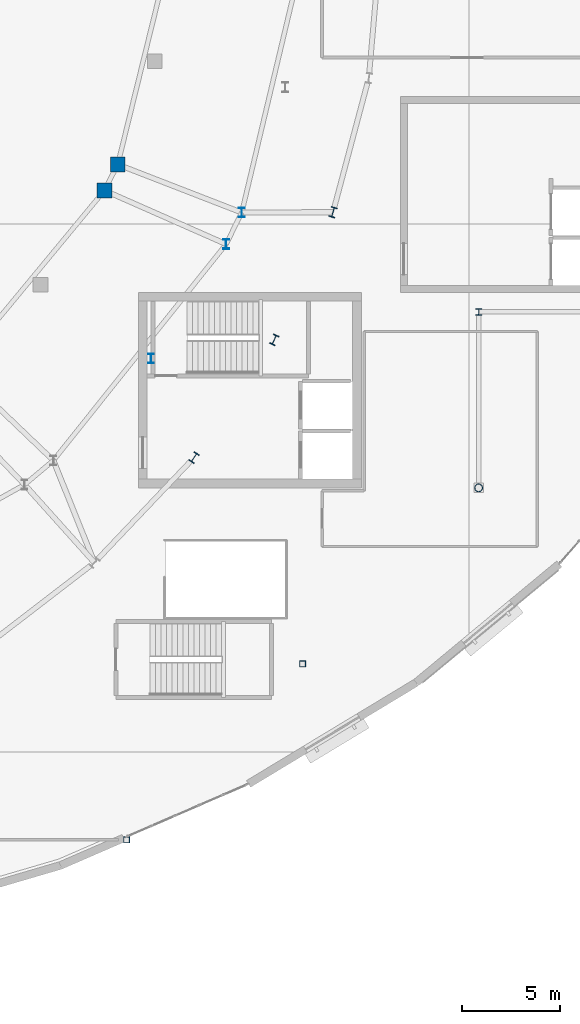
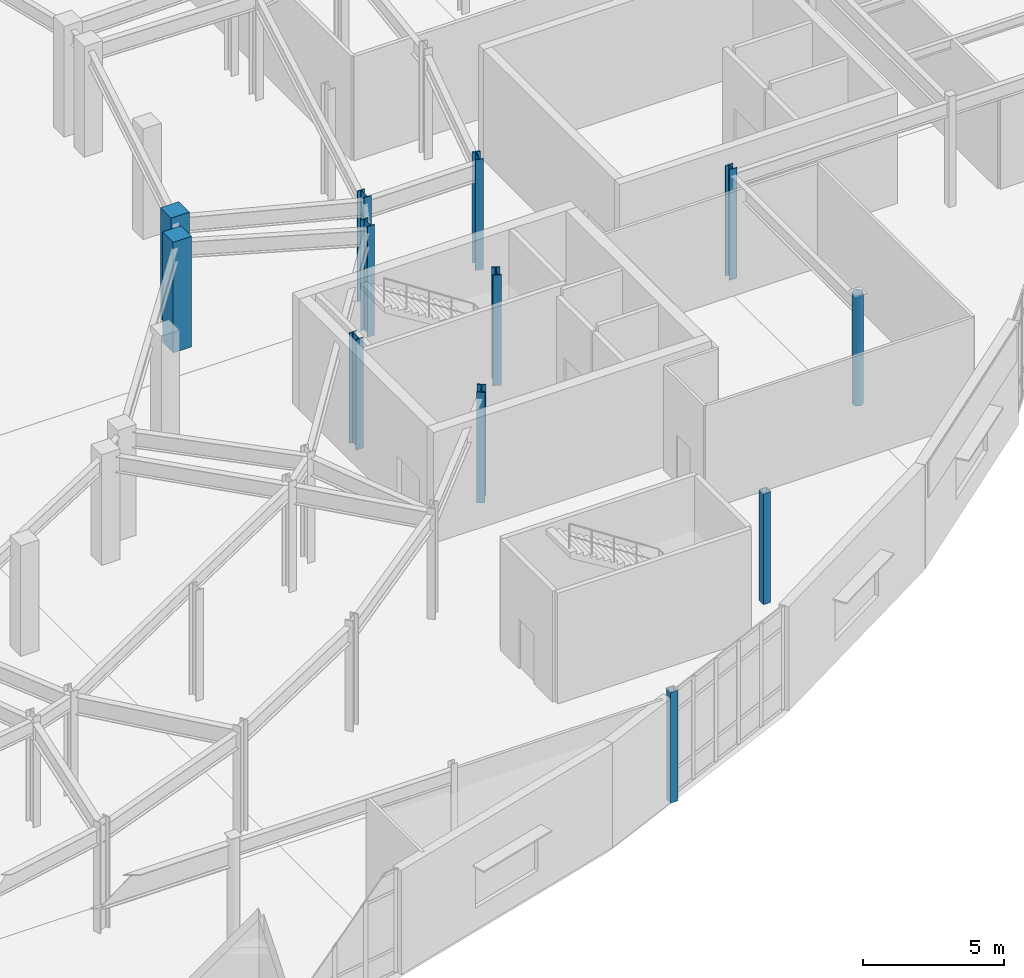
# One storey, part 17 of 86: 12 columns.
"""IFC4 building model written with IfcOpenShell, lengths in metres."""

from ifc_helpers import new_model, si_unit, direction, frame, origin, origin_2d, place, context, subcontext, project, spatial, rectangle, hollow_rectangle, hollow_circle, i_section, extrude, material, material_profile, profile_set, type_object, element, save


model = new_model("IFC4")

# Units and contexts
model_context = context("Model", 3, precision=1e-05, world=origin(), true_north=direction((0.0, 1.0)))
body_context = subcontext(model_context, "Body", "Model", "MODEL_VIEW")
ifc_project = project(units=[si_unit("LENGTHUNIT", "METRE"), si_unit("AREAUNIT", "SQUARE_METRE"), si_unit("VOLUMEUNIT", "CUBIC_METRE"), si_unit("PLANEANGLEUNIT", "RADIAN"), si_unit("MASSUNIT", "GRAM", prefix="KILO")], contexts=[model_context])

# Site, building, storey
site_placement = place(None, origin())
site = spatial("IfcSite", under=ifc_project, at=site_placement, CompositionType="ELEMENT")
building_placement = place(site_placement, origin())
building = spatial("IfcBuilding", under=site, at=building_placement, Name="Glasvene Arena", CompositionType="ELEMENT")
storey_placement = place(building_placement, frame((0.0, 0.0, 5.39990234375)))
storey = spatial("IfcBuildingStorey", under=building, at=storey_placement, Name="L01", CompositionType="ELEMENT", Elevation=5.39990234375)

# Columns
ifc_material_1 = material(Name="Concrete C40/50", Category="concrete")
ifc_material_profile_1 = material_profile(ifc_material_1, rectangle(XDim=0.75, YDim=0.75, at=origin_2d()), Name="RC 750x750")
ifc_profile_set_1 = profile_set([ifc_material_profile_1], Name="Concrete C40/50")
column_type_1 = type_object("IfcColumnType", Name="COL-MID-RC750", PredefinedType="COLUMN", material=ifc_profile_set_1)
for number, where, z_axis, x_axis, name in (
    (1, (127.866455078125, 60.20751953125, 0.0), (0.0, 0.0, 1.0), (1.0, 0.0, 0.0), "Mid-bowl fulcrum column L01 15-2"),
    (2, (128.547119140625, 61.53662109375, 0.0), (0.0, 0.0, 1.0), (1.0, 0.0, 0.0), "Mid-bowl fulcrum column L01 16-1"),
):
    element("IfcColumn", number, at=place(storey_placement, frame(where, z_axis=z_axis, x_axis=x_axis)), inside=storey, type_object=column_type_1, Name=name, PredefinedType="COLUMN", context=body_context, shape_type="SweptSolid", body=[
        extrude(rectangle(XDim=0.75, YDim=0.75, at=origin_2d()), origin(), (0.0, 0.0, 1.0), 4.800048828125),
    ])
ifc_material_2 = material(Name="Steel S355J2", Category="steel")
ifc_material_profile_2 = material_profile(ifc_material_2, i_section(OverallWidth=0.305908203125, OverallDepth=0.52392578125, WebThickness=0.02099609375, FlangeThickness=0.0400390625, FilletRadius=0.027099609375, at=origin_2d()), Name="HEM 500")
ifc_profile_set_2 = profile_set([ifc_material_profile_2], Name="Steel S355J2")
column_type_2 = type_object("IfcColumnType", Name="COL-RING-HEM500", PredefinedType="COLUMN", material=ifc_profile_set_2)
for number, where, z_axis, x_axis, name in (
    (3, (132.45068359375, 46.5498046875, 0.0), (0.0, 0.0, 1.0), (0.836955398099, -0.547271104292, 0.0), "Bowl ring column R37 L01"),
    (4, (136.55029296875, 52.5703125, 0.0), (0.0, 0.0, 1.0), (0.909018020308, -0.416756810089, 0.0), "Bowl ring column R38 L01"),
    (5, (139.552734375, 59.09423828125, 0.0), (0.0, 0.0, 1.0), (0.959805291975, -0.280666708921, 0.0), "Bowl ring column R39 L01"),
):
    element("IfcColumn", number, at=place(storey_placement, frame(where, z_axis=z_axis, x_axis=x_axis)), inside=storey, type_object=column_type_2, Name=name, PredefinedType="COLUMN", context=body_context, shape_type="SweptSolid", body=[
        extrude(i_section(OverallWidth=0.305908203125, OverallDepth=0.52392578125, WebThickness=0.02099609375, FlangeThickness=0.0400390625, FilletRadius=0.027099609375, at=origin_2d()), origin(), (0.0, 0.0, 1.0), 4.800048828125),
    ])
ifc_material_profile_3 = material_profile(ifc_material_2, hollow_circle(Radius=0.203125, WallThickness=0.01611328125, at=origin_2d()), Name="CHS 406.4x16.0")
ifc_profile_set_3 = profile_set([ifc_material_profile_3], Name="Steel S355J2")
column_type_3 = type_object("IfcColumnType", Name="COL-W-CHS406", PredefinedType="COLUMN", material=ifc_profile_set_3)
column_1_placement = place(storey_placement, frame((147.0, 45.0, 0.0), z_axis=(0.0, 0.0, 1.0), x_axis=(1.0, 0.0, 0.0)))
element("IfcColumn", 6, at=column_1_placement, inside=storey, type_object=column_type_3, Name="Grid column 17-6 L01", PredefinedType="COLUMN", context=body_context, shape_type="SweptSolid", body=[
    extrude(hollow_circle(Radius=0.203125, WallThickness=0.01611328125, at=origin_2d()), origin(), (0.0, 0.0, 1.0), 4.800048828125),
])
ifc_material_profile_4 = material_profile(ifc_material_2, i_section(OverallWidth=0.300048828125, OverallDepth=0.5, WebThickness=0.014404296875, FlangeThickness=0.028076171875, FilletRadius=0.027099609375, at=origin_2d()), Name="HEB 500")
ifc_profile_set_4 = profile_set([ifc_material_profile_4], Name="Steel S355J2")
column_type_4 = type_object("IfcColumnType", Name="COL-W-HEB500", PredefinedType="COLUMN", material=ifc_profile_set_4)
for number, where, z_axis, x_axis, name in (
    (7, (134.088134765625, 57.46337890625, 0.0), (0.0, 0.0, 1.0), (1.0, 0.0, 0.0), "Upper raker rear column L01 15-2"),
    (8, (134.886962890625, 59.077392578125, 0.0), (0.0, 0.0, 1.0), (1.0, 0.0, 0.0), "Upper raker rear column L01 16-1"),
    (9, (130.24755859375, 51.610595703125, 0.0), (0.0, 0.0, 1.0), (1.0, 0.0, 0.0), "Mid-sector rear raker column L01 15"),
):
    element("IfcColumn", number, at=place(storey_placement, frame(where, z_axis=z_axis, x_axis=x_axis)), inside=storey, type_object=column_type_4, Name=name, PredefinedType="COLUMN", context=body_context, shape_type="SweptSolid", body=[
        extrude(i_section(OverallWidth=0.300048828125, OverallDepth=0.5, WebThickness=0.014404296875, FlangeThickness=0.028076171875, FilletRadius=0.027099609375, at=origin_2d()), origin(), (0.0, 0.0, 1.0), 4.800048828125),
    ])
ifc_material_profile_5 = material_profile(ifc_material_2, hollow_rectangle(XDim=0.300048828125, YDim=0.300048828125, WallThickness=0.012451171875, at=origin_2d()), Name="SHS 300x300x12.5")
ifc_profile_set_5 = profile_set([ifc_material_profile_5], Name="Steel S355J2")
column_type_5 = type_object("IfcColumnType", Name="COL-W-SHS300", PredefinedType="COLUMN", material=ifc_profile_set_5)
for number, where, z_axis, x_axis, name in (
    (10, (129.0, 27.0, 0.0), (0.0, 0.0, 1.0), (1.0, 0.0, 0.0), "Grid column 15-4 L01"),
    (11, (138.0, 36.0, 0.0), (0.0, 0.0, 1.0), (1.0, 0.0, 0.0), "Grid column 16-5 L01"),
):
    element("IfcColumn", number, at=place(storey_placement, frame(where, z_axis=z_axis, x_axis=x_axis)), inside=storey, type_object=column_type_5, Name=name, PredefinedType="COLUMN", context=body_context, shape_type="SweptSolid", body=[
        extrude(hollow_rectangle(XDim=0.300048828125, YDim=0.300048828125, WallThickness=0.012451171875, at=origin_2d()), origin(), (0.0, 0.0, 1.0), 4.800048828125),
    ])
ifc_material_profile_6 = material_profile(ifc_material_2, i_section(OverallWidth=0.30908203125, OverallDepth=0.320556640625, WebThickness=0.013916015625, FlangeThickness=0.021728515625, FilletRadius=0.01513671875, at=origin_2d()), Name="UKC 305x305x137")
ifc_profile_set_6 = profile_set([ifc_material_profile_6], Name="Steel S355J2")
column_type_6 = type_object("IfcColumnType", Name="COL-W-UKC137", PredefinedType="COLUMN", material=ifc_profile_set_6)
column_2_placement = place(storey_placement, frame((147.0, 54.0, 0.0), z_axis=(0.0, 0.0, 1.0), x_axis=(1.0, 0.0, 0.0)))
element("IfcColumn", 12, at=column_2_placement, inside=storey, type_object=column_type_6, Name="Grid column 17-7 L01", PredefinedType="COLUMN", context=body_context, shape_type="SweptSolid", body=[
    extrude(i_section(OverallWidth=0.30908203125, OverallDepth=0.320556640625, WebThickness=0.013916015625, FlangeThickness=0.021728515625, FilletRadius=0.01513671875, at=origin_2d()), origin(), (0.0, 0.0, 1.0), 4.800048828125),
])

save(model, "model.ifc")
